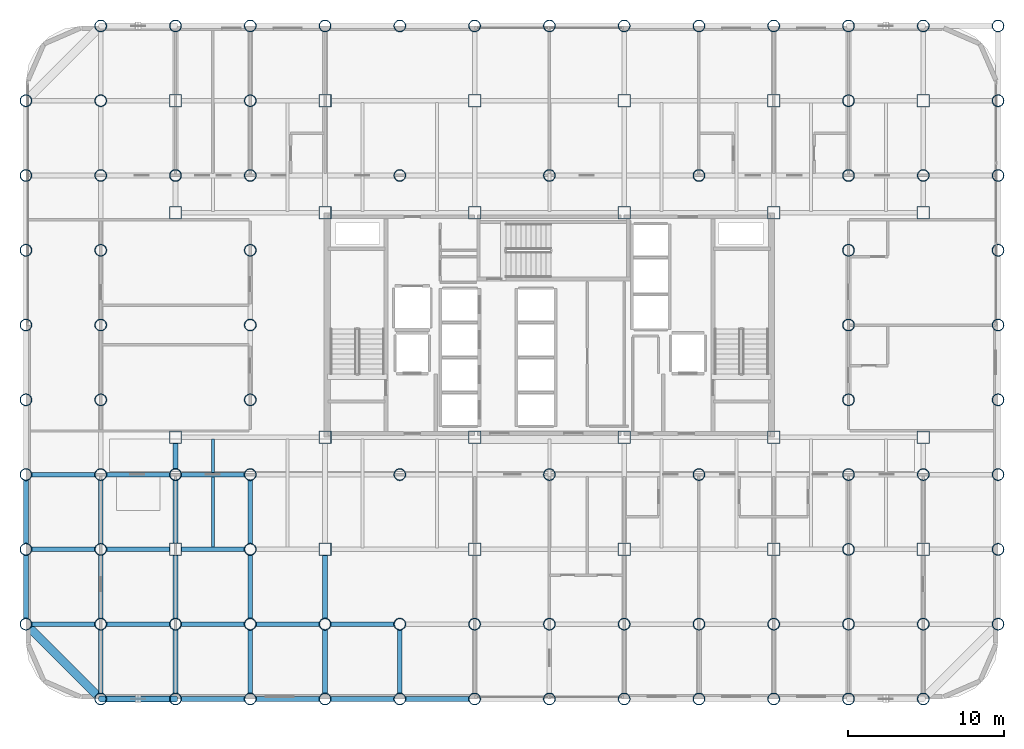
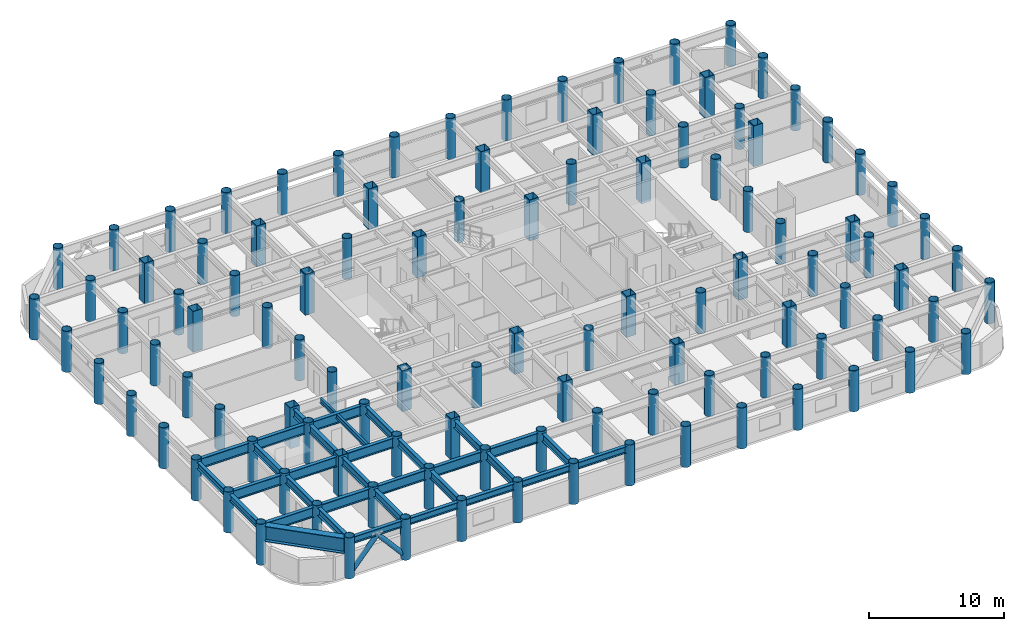
# One storey, part 1 of 22: 108 columns, 33 beams, 2 members.
"""IFC4 building model written with IfcOpenShell, lengths in metres."""

from ifc_helpers import new_model, si_unit, direction, frame, origin, origin_2d, place, context, subcontext, project, spatial, hollow_rectangle, hollow_circle, i_section, extrude, material, material_profile, profile_set, type_object, element, save


model = new_model("IFC4")

# Units and contexts
model_context = context("Model", 3, precision=1e-05, world=origin(), true_north=direction((0.0, 1.0)))
body_context = subcontext(model_context, "Body", "Model", "MODEL_VIEW")
ifc_project = project(units=[si_unit("LENGTHUNIT", "METRE"), si_unit("AREAUNIT", "SQUARE_METRE"), si_unit("VOLUMEUNIT", "CUBIC_METRE"), si_unit("PLANEANGLEUNIT", "RADIAN"), si_unit("MASSUNIT", "GRAM", prefix="KILO")], contexts=[model_context])

# Site, building, storey
site_placement = place(None, origin())
site = spatial("IfcSite", under=ifc_project, at=site_placement, CompositionType="ELEMENT")
building_placement = place(site_placement, origin())
building = spatial("IfcBuilding", under=site, at=building_placement, Name="Kallvorn Hotel Tower", CompositionType="ELEMENT")
storey_placement = place(building_placement, frame((0.0, 0.0, 48.5)))
storey = spatial("IfcBuildingStorey", under=building, at=storey_placement, Name="L10", CompositionType="ELEMENT", Elevation=48.5)

# Columns
ifc_material_1 = material(Name="Structural steel S355J2H", Category="steel")
ifc_material_profile_1 = material_profile(ifc_material_1, hollow_circle(Radius=0.381103515625, WallThickness=0.031982421875, at=origin_2d()), Name="CHS 762x32")
ifc_profile_set_1 = profile_set([ifc_material_profile_1], Name="Structural steel S355J2H")
column_type_1 = type_object("IfcColumnType", Name="COL_CHS_762", PredefinedType="COLUMN", material=ifc_profile_set_1)
for number, where, z_axis, x_axis, name in (
    (1, (-33.60009765625, -19.199951171875, 0.0), (0.0, 0.0, 1.0), (1.0, 0.0, 0.0), "L10 Exoskeleton Column EC01"),
    (2, (-33.60009765625, -14.39990234375, 0.0), (0.0, 0.0, 1.0), (1.0, 0.0, 0.0), "L10 Exoskeleton Column EC02"),
    (3, (-33.60009765625, -9.60009765625, 0.0), (0.0, 0.0, 1.0), (1.0, 0.0, 0.0), "L10 Exoskeleton Column EC03"),
    (4, (-33.60009765625, -4.800048828125, 0.0), (0.0, 0.0, 1.0), (1.0, 0.0, 0.0), "L10 Exoskeleton Column EC04"),
    (5, (-33.60009765625, 0.0, 0.0), (0.0, 0.0, 1.0), (1.0, 0.0, 0.0), "L10 Exoskeleton Column EC05"),
    (6, (-33.60009765625, 4.800048828125, 0.0), (0.0, 0.0, 1.0), (1.0, 0.0, 0.0), "L10 Exoskeleton Column EC06"),
    (7, (-33.60009765625, 9.60009765625, 0.0), (0.0, 0.0, 1.0), (1.0, 0.0, 0.0), "L10 Exoskeleton Column EC07"),
    (8, (-33.60009765625, 14.39990234375, 0.0), (0.0, 0.0, 1.0), (1.0, 0.0, 0.0), "L10 Exoskeleton Column EC08"),
    (9, (-28.800048828125, -24.0, 0.0), (0.0, 0.0, 1.0), (1.0, 0.0, 0.0), "L10 Exoskeleton Column EC09"),
    (10, (-28.800048828125, -19.199951171875, 0.0), (0.0, 0.0, 1.0), (1.0, 0.0, 0.0), "L10 Exoskeleton Column EC10"),
    (11, (-28.800048828125, -14.39990234375, 0.0), (0.0, 0.0, 1.0), (1.0, 0.0, 0.0), "L10 Exoskeleton Column EC11"),
    (12, (-28.800048828125, -9.60009765625, 0.0), (0.0, 0.0, 1.0), (1.0, 0.0, 0.0), "L10 Exoskeleton Column EC12"),
    (13, (-28.800048828125, -4.800048828125, 0.0), (0.0, 0.0, 1.0), (1.0, 0.0, 0.0), "L10 Exoskeleton Column EC13"),
    (14, (-28.800048828125, 0.0, 0.0), (0.0, 0.0, 1.0), (1.0, 0.0, 0.0), "L10 Exoskeleton Column EC14"),
    (15, (-28.800048828125, 4.800048828125, 0.0), (0.0, 0.0, 1.0), (1.0, 0.0, 0.0), "L10 Exoskeleton Column EC15"),
    (16, (-28.800048828125, 9.60009765625, 0.0), (0.0, 0.0, 1.0), (1.0, 0.0, 0.0), "L10 Exoskeleton Column EC16"),
    (17, (-28.800048828125, 14.39990234375, 0.0), (0.0, 0.0, 1.0), (1.0, 0.0, 0.0), "L10 Exoskeleton Column EC17"),
    (18, (-28.800048828125, 19.199951171875, 0.0), (0.0, 0.0, 1.0), (1.0, 0.0, 0.0), "L10 Exoskeleton Column EC18"),
    (19, (-24.0, -24.0, 0.0), (0.0, 0.0, 1.0), (1.0, 0.0, 0.0), "L10 Exoskeleton Column EC19"),
    (20, (-24.0, -19.199951171875, 0.0), (0.0, 0.0, 1.0), (1.0, 0.0, 0.0), "L10 Exoskeleton Column EC20"),
    (21, (-24.0, -9.60009765625, 0.0), (0.0, 0.0, 1.0), (1.0, 0.0, 0.0), "L10 Exoskeleton Column EC21"),
    (22, (-24.0, 9.60009765625, 0.0), (0.0, 0.0, 1.0), (1.0, 0.0, 0.0), "L10 Exoskeleton Column EC22"),
    (23, (-24.0, 19.199951171875, 0.0), (0.0, 0.0, 1.0), (1.0, 0.0, 0.0), "L10 Exoskeleton Column EC23"),
    (24, (-19.199951171875, -24.0, 0.0), (0.0, 0.0, 1.0), (1.0, 0.0, 0.0), "L10 Exoskeleton Column EC24"),
    (25, (-19.199951171875, -19.199951171875, 0.0), (0.0, 0.0, 1.0), (1.0, 0.0, 0.0), "L10 Exoskeleton Column EC25"),
    (26, (-19.199951171875, -14.39990234375, 0.0), (0.0, 0.0, 1.0), (1.0, 0.0, 0.0), "L10 Exoskeleton Column EC26"),
    (27, (-19.199951171875, -9.60009765625, 0.0), (0.0, 0.0, 1.0), (1.0, 0.0, 0.0), "L10 Exoskeleton Column EC27"),
    (28, (-19.199951171875, -4.800048828125, 0.0), (0.0, 0.0, 1.0), (1.0, 0.0, 0.0), "L10 Exoskeleton Column EC28"),
    (29, (-19.199951171875, 0.0, 0.0), (0.0, 0.0, 1.0), (1.0, 0.0, 0.0), "L10 Exoskeleton Column EC29"),
    (30, (-19.199951171875, 4.800048828125, 0.0), (0.0, 0.0, 1.0), (1.0, 0.0, 0.0), "L10 Exoskeleton Column EC30"),
    (31, (-19.199951171875, 9.60009765625, 0.0), (0.0, 0.0, 1.0), (1.0, 0.0, 0.0), "L10 Exoskeleton Column EC31"),
    (32, (-19.199951171875, 14.39990234375, 0.0), (0.0, 0.0, 1.0), (1.0, 0.0, 0.0), "L10 Exoskeleton Column EC32"),
    (33, (-19.199951171875, 19.199951171875, 0.0), (0.0, 0.0, 1.0), (1.0, 0.0, 0.0), "L10 Exoskeleton Column EC33"),
    (34, (-14.39990234375, -24.0, 0.0), (0.0, 0.0, 1.0), (1.0, 0.0, 0.0), "L10 Exoskeleton Column EC34"),
    (35, (-14.39990234375, -19.199951171875, 0.0), (0.0, 0.0, 1.0), (1.0, 0.0, 0.0), "L10 Exoskeleton Column EC35"),
    (36, (-14.39990234375, 19.199951171875, 0.0), (0.0, 0.0, 1.0), (1.0, 0.0, 0.0), "L10 Exoskeleton Column EC36"),
    (37, (-9.60009765625, -24.0, 0.0), (0.0, 0.0, 1.0), (1.0, 0.0, 0.0), "L10 Exoskeleton Column EC37"),
    (38, (-9.60009765625, -19.199951171875, 0.0), (0.0, 0.0, 1.0), (1.0, 0.0, 0.0), "L10 Exoskeleton Column EC38"),
    (39, (-9.60009765625, -9.60009765625, 0.0), (0.0, 0.0, 1.0), (1.0, 0.0, 0.0), "L10 Exoskeleton Column EC39"),
    (40, (-9.60009765625, 9.60009765625, 0.0), (0.0, 0.0, 1.0), (1.0, 0.0, 0.0), "L10 Exoskeleton Column EC40"),
    (41, (-9.60009765625, 19.199951171875, 0.0), (0.0, 0.0, 1.0), (1.0, 0.0, 0.0), "L10 Exoskeleton Column EC41"),
    (42, (-4.800048828125, -24.0, 0.0), (0.0, 0.0, 1.0), (1.0, 0.0, 0.0), "L10 Exoskeleton Column EC42"),
    (43, (-4.800048828125, -19.199951171875, 0.0), (0.0, 0.0, 1.0), (1.0, 0.0, 0.0), "L10 Exoskeleton Column EC43"),
    (44, (-4.800048828125, 19.199951171875, 0.0), (0.0, 0.0, 1.0), (1.0, 0.0, 0.0), "L10 Exoskeleton Column EC44"),
    (45, (0.0, -24.0, 0.0), (0.0, 0.0, 1.0), (1.0, 0.0, 0.0), "L10 Exoskeleton Column EC45"),
    (46, (0.0, -19.199951171875, 0.0), (0.0, 0.0, 1.0), (1.0, 0.0, 0.0), "L10 Exoskeleton Column EC46"),
    (47, (0.0, -9.60009765625, 0.0), (0.0, 0.0, 1.0), (1.0, 0.0, 0.0), "L10 Exoskeleton Column EC47"),
    (48, (0.0, 9.60009765625, 0.0), (0.0, 0.0, 1.0), (1.0, 0.0, 0.0), "L10 Exoskeleton Column EC48"),
    (49, (0.0, 19.199951171875, 0.0), (0.0, 0.0, 1.0), (1.0, 0.0, 0.0), "L10 Exoskeleton Column EC49"),
    (50, (4.800048828125, -24.0, 0.0), (0.0, 0.0, 1.0), (1.0, 0.0, 0.0), "L10 Exoskeleton Column EC50"),
    (51, (4.800048828125, -19.199951171875, 0.0), (0.0, 0.0, 1.0), (1.0, 0.0, 0.0), "L10 Exoskeleton Column EC51"),
    (52, (4.800048828125, 19.199951171875, 0.0), (0.0, 0.0, 1.0), (1.0, 0.0, 0.0), "L10 Exoskeleton Column EC52"),
    (53, (9.60009765625, -24.0, 0.0), (0.0, 0.0, 1.0), (1.0, 0.0, 0.0), "L10 Exoskeleton Column EC53"),
    (54, (9.60009765625, -19.199951171875, 0.0), (0.0, 0.0, 1.0), (1.0, 0.0, 0.0), "L10 Exoskeleton Column EC54"),
    (55, (9.60009765625, -9.60009765625, 0.0), (0.0, 0.0, 1.0), (1.0, 0.0, 0.0), "L10 Exoskeleton Column EC55"),
    (56, (9.60009765625, 9.60009765625, 0.0), (0.0, 0.0, 1.0), (1.0, 0.0, 0.0), "L10 Exoskeleton Column EC56"),
    (57, (9.60009765625, 19.199951171875, 0.0), (0.0, 0.0, 1.0), (1.0, 0.0, 0.0), "L10 Exoskeleton Column EC57"),
    (58, (14.39990234375, -24.0, 0.0), (0.0, 0.0, 1.0), (1.0, 0.0, 0.0), "L10 Exoskeleton Column EC58"),
    (59, (14.39990234375, -19.199951171875, 0.0), (0.0, 0.0, 1.0), (1.0, 0.0, 0.0), "L10 Exoskeleton Column EC59"),
    (60, (14.39990234375, 19.199951171875, 0.0), (0.0, 0.0, 1.0), (1.0, 0.0, 0.0), "L10 Exoskeleton Column EC60"),
    (61, (19.199951171875, -24.0, 0.0), (0.0, 0.0, 1.0), (1.0, 0.0, 0.0), "L10 Exoskeleton Column EC61"),
    (62, (19.199951171875, -19.199951171875, 0.0), (0.0, 0.0, 1.0), (1.0, 0.0, 0.0), "L10 Exoskeleton Column EC62"),
    (63, (19.199951171875, -14.39990234375, 0.0), (0.0, 0.0, 1.0), (1.0, 0.0, 0.0), "L10 Exoskeleton Column EC63"),
    (64, (19.199951171875, -9.60009765625, 0.0), (0.0, 0.0, 1.0), (1.0, 0.0, 0.0), "L10 Exoskeleton Column EC64"),
    (65, (19.199951171875, -4.800048828125, 0.0), (0.0, 0.0, 1.0), (1.0, 0.0, 0.0), "L10 Exoskeleton Column EC65"),
    (66, (19.199951171875, 0.0, 0.0), (0.0, 0.0, 1.0), (1.0, 0.0, 0.0), "L10 Exoskeleton Column EC66"),
    (67, (19.199951171875, 4.800048828125, 0.0), (0.0, 0.0, 1.0), (1.0, 0.0, 0.0), "L10 Exoskeleton Column EC67"),
    (68, (19.199951171875, 9.60009765625, 0.0), (0.0, 0.0, 1.0), (1.0, 0.0, 0.0), "L10 Exoskeleton Column EC68"),
    (69, (19.199951171875, 14.39990234375, 0.0), (0.0, 0.0, 1.0), (1.0, 0.0, 0.0), "L10 Exoskeleton Column EC69"),
    (70, (19.199951171875, 19.199951171875, 0.0), (0.0, 0.0, 1.0), (1.0, 0.0, 0.0), "L10 Exoskeleton Column EC70"),
    (71, (24.0, -24.0, 0.0), (0.0, 0.0, 1.0), (1.0, 0.0, 0.0), "L10 Exoskeleton Column EC71"),
    (72, (24.0, -19.199951171875, 0.0), (0.0, 0.0, 1.0), (1.0, 0.0, 0.0), "L10 Exoskeleton Column EC72"),
    (73, (24.0, -9.60009765625, 0.0), (0.0, 0.0, 1.0), (1.0, 0.0, 0.0), "L10 Exoskeleton Column EC73"),
    (74, (24.0, 9.60009765625, 0.0), (0.0, 0.0, 1.0), (1.0, 0.0, 0.0), "L10 Exoskeleton Column EC74"),
    (75, (24.0, 19.199951171875, 0.0), (0.0, 0.0, 1.0), (1.0, 0.0, 0.0), "L10 Exoskeleton Column EC75"),
    (76, (28.800048828125, -19.199951171875, 0.0), (0.0, 0.0, 1.0), (1.0, 0.0, 0.0), "L10 Exoskeleton Column EC76"),
    (77, (28.800048828125, -14.39990234375, 0.0), (0.0, 0.0, 1.0), (1.0, 0.0, 0.0), "L10 Exoskeleton Column EC77"),
    (78, (28.800048828125, -9.60009765625, 0.0), (0.0, 0.0, 1.0), (1.0, 0.0, 0.0), "L10 Exoskeleton Column EC78"),
    (79, (28.800048828125, -4.800048828125, 0.0), (0.0, 0.0, 1.0), (1.0, 0.0, 0.0), "L10 Exoskeleton Column EC79"),
    (80, (28.800048828125, 0.0, 0.0), (0.0, 0.0, 1.0), (1.0, 0.0, 0.0), "L10 Exoskeleton Column EC80"),
    (81, (28.800048828125, 4.800048828125, 0.0), (0.0, 0.0, 1.0), (1.0, 0.0, 0.0), "L10 Exoskeleton Column EC81"),
    (82, (28.800048828125, 9.60009765625, 0.0), (0.0, 0.0, 1.0), (1.0, 0.0, 0.0), "L10 Exoskeleton Column EC82"),
    (83, (28.800048828125, 14.39990234375, 0.0), (0.0, 0.0, 1.0), (1.0, 0.0, 0.0), "L10 Exoskeleton Column EC83"),
    (84, (28.800048828125, 19.199951171875, 0.0), (0.0, 0.0, 1.0), (1.0, 0.0, 0.0), "L10 Exoskeleton Column EC84"),
):
    element("IfcColumn", number, at=place(storey_placement, frame(where, z_axis=z_axis, x_axis=x_axis)), inside=storey, type_object=column_type_1, Name=name, PredefinedType="COLUMN", context=body_context, shape_type="SweptSolid", body=[
        extrude(hollow_circle(Radius=0.381103515625, WallThickness=0.031982421875, at=origin_2d()), origin(), (0.0, 0.0, 1.0), 3.699951171875),
    ])
ifc_material_2 = material(Name="Structural steel S355J2H", Category="steel")
ifc_material_profile_2 = material_profile(ifc_material_2, hollow_rectangle(XDim=0.800048828125, YDim=0.800048828125, WallThickness=0.035888671875, at=origin_2d()), Name="RHS 800x800x36")
ifc_profile_set_2 = profile_set([ifc_material_profile_2], Name="Structural steel S355J2H")
column_type_2 = type_object("IfcColumnType", Name="COL_RHS_800", PredefinedType="COLUMN", material=ifc_profile_set_2)
for number, where, z_axis, x_axis, name in (
    (85, (-24.0, -14.39990234375, 0.0), (0.0, 0.0, 1.0), (1.0, 0.0, 0.0), "L10 Inner Column IC01"),
    (86, (-24.0, -7.199951171875, 0.0), (0.0, 0.0, 1.0), (1.0, 0.0, 0.0), "L10 Inner Column IC02"),
    (87, (-24.0, 7.199951171875, 0.0), (0.0, 0.0, 1.0), (1.0, 0.0, 0.0), "L10 Inner Column IC03"),
    (88, (-24.0, 14.39990234375, 0.0), (0.0, 0.0, 1.0), (1.0, 0.0, 0.0), "L10 Inner Column IC04"),
    (89, (-14.39990234375, -14.39990234375, 0.0), (0.0, 0.0, 1.0), (1.0, 0.0, 0.0), "L10 Inner Column IC05"),
    (90, (-14.39990234375, -7.199951171875, 0.0), (0.0, 0.0, 1.0), (1.0, 0.0, 0.0), "L10 Inner Column IC06"),
    (91, (-14.39990234375, 7.199951171875, 0.0), (0.0, 0.0, 1.0), (1.0, 0.0, 0.0), "L10 Inner Column IC07"),
    (92, (-14.39990234375, 14.39990234375, 0.0), (0.0, 0.0, 1.0), (1.0, 0.0, 0.0), "L10 Inner Column IC08"),
    (93, (-4.800048828125, -14.39990234375, 0.0), (0.0, 0.0, 1.0), (1.0, 0.0, 0.0), "L10 Inner Column IC09"),
    (94, (-4.800048828125, -7.199951171875, 0.0), (0.0, 0.0, 1.0), (1.0, 0.0, 0.0), "L10 Inner Column IC10"),
    (95, (-4.800048828125, 7.199951171875, 0.0), (0.0, 0.0, 1.0), (1.0, 0.0, 0.0), "L10 Inner Column IC11"),
    (96, (-4.800048828125, 14.39990234375, 0.0), (0.0, 0.0, 1.0), (1.0, 0.0, 0.0), "L10 Inner Column IC12"),
    (97, (4.800048828125, -14.39990234375, 0.0), (0.0, 0.0, 1.0), (1.0, 0.0, 0.0), "L10 Inner Column IC13"),
    (98, (4.800048828125, -7.199951171875, 0.0), (0.0, 0.0, 1.0), (1.0, 0.0, 0.0), "L10 Inner Column IC14"),
    (99, (4.800048828125, 7.199951171875, 0.0), (0.0, 0.0, 1.0), (1.0, 0.0, 0.0), "L10 Inner Column IC15"),
    (100, (4.800048828125, 14.39990234375, 0.0), (0.0, 0.0, 1.0), (1.0, 0.0, 0.0), "L10 Inner Column IC16"),
    (101, (14.39990234375, -14.39990234375, 0.0), (0.0, 0.0, 1.0), (1.0, 0.0, 0.0), "L10 Inner Column IC17"),
    (102, (14.39990234375, -7.199951171875, 0.0), (0.0, 0.0, 1.0), (1.0, 0.0, 0.0), "L10 Inner Column IC18"),
    (103, (14.39990234375, 7.199951171875, 0.0), (0.0, 0.0, 1.0), (1.0, 0.0, 0.0), "L10 Inner Column IC19"),
    (104, (14.39990234375, 14.39990234375, 0.0), (0.0, 0.0, 1.0), (1.0, 0.0, 0.0), "L10 Inner Column IC20"),
    (105, (24.0, -14.39990234375, 0.0), (0.0, 0.0, 1.0), (1.0, 0.0, 0.0), "L10 Inner Column IC21"),
    (106, (24.0, -7.199951171875, 0.0), (0.0, 0.0, 1.0), (1.0, 0.0, 0.0), "L10 Inner Column IC22"),
    (107, (24.0, 7.199951171875, 0.0), (0.0, 0.0, 1.0), (1.0, 0.0, 0.0), "L10 Inner Column IC23"),
    (108, (24.0, 14.39990234375, 0.0), (0.0, 0.0, 1.0), (1.0, 0.0, 0.0), "L10 Inner Column IC24"),
):
    element("IfcColumn", number, at=place(storey_placement, frame(where, z_axis=z_axis, x_axis=x_axis)), inside=storey, type_object=column_type_2, Name=name, PredefinedType="COLUMN", context=body_context, shape_type="SweptSolid", body=[
        extrude(hollow_rectangle(XDim=0.800048828125, YDim=0.800048828125, WallThickness=0.035888671875, at=origin_2d()), origin(), (0.0, 0.0, 1.0), 3.699951171875),
    ])

# Beams
ifc_material_3 = material(Name="Structural steel S355JR", Category="steel")
ifc_material_profile_3 = material_profile(ifc_material_3, i_section(OverallWidth=0.300048828125, OverallDepth=0.60009765625, WebThickness=0.015380859375, FlangeThickness=0.030029296875, at=origin_2d()), Name="HE 600 B")
ifc_profile_set_3 = profile_set([ifc_material_profile_3], Name="Structural steel S355JR")
beam_type_1 = type_object("IfcBeamType", Name="BM_HE600B", PredefinedType="SPANDREL", material=ifc_profile_set_3)
for number, where, z_axis, x_axis, name in (
    (109, (-28.428955078125, -24.0, 3.219970703125), (1.0, 0.0, 0.0), (0.0, 1.0, 0.0), "L11 Perimeter Spandrel 151"),
    (110, (-23.62890625, -24.0, 3.219970703125), (1.0, 0.0, 0.0), (0.0, 1.0, 0.0), "L11 Perimeter Spandrel 152"),
):
    element("IfcBeam", number, at=place(storey_placement, frame(where, z_axis=z_axis, x_axis=x_axis)), inside=storey, type_object=beam_type_1, Name=name, PredefinedType="SPANDREL", context=body_context, shape_type="SweptSolid", body=[
        extrude(i_section(OverallWidth=0.300048828125, OverallDepth=0.60009765625, WebThickness=0.015380859375, FlangeThickness=0.030029296875, at=origin_2d()), origin(), (0.0, 0.0, 1.0), 4.057861328125),
    ])
for number, where, z_axis, x_axis, name in (
    (111, (-18.8291015625, -24.0, 3.219970703125), (1.0, 0.0, 0.0), (0.0, 1.0, 0.0), "L11 Perimeter Spandrel 153"),
    (112, (-14.029052734375, -24.0, 3.219970703125), (1.0, 0.0, 0.0), (0.0, 1.0, 0.0), "L11 Perimeter Spandrel 154"),
    (113, (-9.22900390625, -24.0, 3.219970703125), (1.0, 0.0, 0.0), (0.0, 1.0, 0.0), "L11 Perimeter Spandrel 155"),
    (114, (-33.60009765625, -18.8291015625, 3.219970703125), (0.0, 1.0, 0.0), (-1.0, 0.0, 0.0), "L11 Perimeter Spandrel 174"),
    (115, (-33.60009765625, -14.029052734375, 3.219970703125), (0.0, 1.0, 0.0), (-1.0, 0.0, 0.0), "L11 Perimeter Spandrel 175"),
):
    element("IfcBeam", number, at=place(storey_placement, frame(where, z_axis=z_axis, x_axis=x_axis)), inside=storey, type_object=beam_type_1, Name=name, PredefinedType="SPANDREL", context=body_context, shape_type="SweptSolid", body=[
        extrude(i_section(OverallWidth=0.300048828125, OverallDepth=0.60009765625, WebThickness=0.015380859375, FlangeThickness=0.030029296875, at=origin_2d()), origin(), (0.0, 0.0, 1.0), 4.05810546875),
    ])
ifc_material_4 = material(Name="Structural steel S355JR", Category="steel")
ifc_material_profile_4 = material_profile(ifc_material_4, i_section(OverallWidth=0.300048828125, OverallDepth=0.699951171875, WebThickness=0.01708984375, FlangeThickness=0.031982421875, at=origin_2d()), Name="HE 700 B")
ifc_profile_set_4 = profile_set([ifc_material_profile_4], Name="Structural steel S355JR")
beam_type_2 = type_object("IfcBeamType", Name="BM_HE700B", PredefinedType="BEAM", material=ifc_profile_set_4)
beam_1_placement = place(storey_placement, frame((-28.800048828125, -23.64404296875, 3.169921875), z_axis=(0.0, 1.0, 0.0), x_axis=(-1.0, 0.0, 0.0)))
element("IfcBeam", 116, at=beam_1_placement, inside=storey, type_object=beam_type_2, Name="L11 Primary Y-Girder 73", PredefinedType="BEAM", context=body_context, shape_type="SweptSolid", body=[
    extrude(i_section(OverallWidth=0.300048828125, OverallDepth=0.699951171875, WebThickness=0.01708984375, FlangeThickness=0.031982421875, at=origin_2d()), origin(), (0.0, 0.0, 1.0), 4.088134765625),
])
for number, where, z_axis, x_axis, name in (
    (117, (-28.800048828125, -18.843994140625, 3.169921875), (0.0, 1.0, 0.0), (-1.0, 0.0, 0.0), "L11 Primary Y-Girder 74"),
    (118, (-28.800048828125, -14.0439453125, 3.169921875), (0.0, 1.0, 0.0), (-1.0, 0.0, 0.0), "L11 Primary Y-Girder 75"),
):
    element("IfcBeam", number, at=place(storey_placement, frame(where, z_axis=z_axis, x_axis=x_axis)), inside=storey, type_object=beam_type_2, Name=name, PredefinedType="BEAM", context=body_context, shape_type="SweptSolid", body=[
        extrude(i_section(OverallWidth=0.300048828125, OverallDepth=0.699951171875, WebThickness=0.01708984375, FlangeThickness=0.031982421875, at=origin_2d()), origin(), (0.0, 0.0, 1.0), 4.087890625),
    ])
beam_2_placement = place(storey_placement, frame((-24.0, -23.64404296875, 3.169921875), z_axis=(0.0, 1.0, 0.0), x_axis=(-1.0, 0.0, 0.0)))
element("IfcBeam", 119, at=beam_2_placement, inside=storey, type_object=beam_type_2, Name="L11 Primary Y-Girder 82", PredefinedType="BEAM", context=body_context, shape_type="SweptSolid", body=[
    extrude(i_section(OverallWidth=0.300048828125, OverallDepth=0.699951171875, WebThickness=0.01708984375, FlangeThickness=0.031982421875, at=origin_2d()), origin(), (0.0, 0.0, 1.0), 4.088134765625),
])
beam_3_placement = place(storey_placement, frame((-24.0, -18.843994140625, 3.169921875), z_axis=(0.0, 1.0, 0.0), x_axis=(-1.0, 0.0, 0.0)))
element("IfcBeam", 120, at=beam_3_placement, inside=storey, type_object=beam_type_2, Name="L11 Primary Y-Girder 83", PredefinedType="BEAM", context=body_context, shape_type="SweptSolid", body=[
    extrude(i_section(OverallWidth=0.300048828125, OverallDepth=0.699951171875, WebThickness=0.01708984375, FlangeThickness=0.031982421875, at=origin_2d()), origin(), (0.0, 0.0, 1.0), 4.069091796875),
])
beam_4_placement = place(storey_placement, frame((-24.0, -14.02490234375, 3.169921875), z_axis=(0.0, 1.0, 0.0), x_axis=(-1.0, 0.0, 0.0)))
element("IfcBeam", 121, at=beam_4_placement, inside=storey, type_object=beam_type_2, Name="L11 Primary Y-Girder 84", PredefinedType="BEAM", context=body_context, shape_type="SweptSolid", body=[
    extrude(i_section(OverallWidth=0.300048828125, OverallDepth=0.699951171875, WebThickness=0.01708984375, FlangeThickness=0.031982421875, at=origin_2d()), origin(), (0.0, 0.0, 1.0), 4.06884765625),
])
beam_5_placement = place(storey_placement, frame((-24.0, -9.243896484375, 3.169921875), z_axis=(0.0, 1.0, 0.0), x_axis=(-1.0, 0.0, 0.0)))
element("IfcBeam", 122, at=beam_5_placement, inside=storey, type_object=beam_type_2, Name="L11 Primary Y-Girder 85", PredefinedType="BEAM", context=body_context, shape_type="SweptSolid", body=[
    extrude(i_section(OverallWidth=0.300048828125, OverallDepth=0.699951171875, WebThickness=0.01708984375, FlangeThickness=0.031982421875, at=origin_2d()), origin(), (0.0, 0.0, 1.0), 1.6689453125),
])
beam_6_placement = place(storey_placement, frame((-19.199951171875, -23.64404296875, 3.169921875), z_axis=(0.0, 1.0, 0.0), x_axis=(-1.0, 0.0, 0.0)))
element("IfcBeam", 123, at=beam_6_placement, inside=storey, type_object=beam_type_2, Name="L11 Primary Y-Girder 89", PredefinedType="BEAM", context=body_context, shape_type="SweptSolid", body=[
    extrude(i_section(OverallWidth=0.300048828125, OverallDepth=0.699951171875, WebThickness=0.01708984375, FlangeThickness=0.031982421875, at=origin_2d()), origin(), (0.0, 0.0, 1.0), 4.088134765625),
])
for number, where, z_axis, x_axis, name in (
    (124, (-19.199951171875, -18.843994140625, 3.169921875), (0.0, 1.0, 0.0), (-1.0, 0.0, 0.0), "L11 Primary Y-Girder 90"),
    (125, (-19.199951171875, -14.0439453125, 3.169921875), (0.0, 1.0, 0.0), (-1.0, 0.0, 0.0), "L11 Primary Y-Girder 91"),
):
    element("IfcBeam", number, at=place(storey_placement, frame(where, z_axis=z_axis, x_axis=x_axis)), inside=storey, type_object=beam_type_2, Name=name, PredefinedType="BEAM", context=body_context, shape_type="SweptSolid", body=[
        extrude(i_section(OverallWidth=0.300048828125, OverallDepth=0.699951171875, WebThickness=0.01708984375, FlangeThickness=0.031982421875, at=origin_2d()), origin(), (0.0, 0.0, 1.0), 4.087890625),
    ])
beam_7_placement = place(storey_placement, frame((-14.39990234375, -23.64404296875, 3.169921875), z_axis=(0.0, 1.0, 0.0), x_axis=(-1.0, 0.0, 0.0)))
element("IfcBeam", 126, at=beam_7_placement, inside=storey, type_object=beam_type_2, Name="L11 Primary Y-Girder 98", PredefinedType="BEAM", context=body_context, shape_type="SweptSolid", body=[
    extrude(i_section(OverallWidth=0.300048828125, OverallDepth=0.699951171875, WebThickness=0.01708984375, FlangeThickness=0.031982421875, at=origin_2d()), origin(), (0.0, 0.0, 1.0), 4.088134765625),
])
beam_8_placement = place(storey_placement, frame((-14.39990234375, -18.843994140625, 3.169921875), z_axis=(0.0, 1.0, 0.0), x_axis=(-1.0, 0.0, 0.0)))
element("IfcBeam", 127, at=beam_8_placement, inside=storey, type_object=beam_type_2, Name="L11 Primary Y-Girder 99", PredefinedType="BEAM", context=body_context, shape_type="SweptSolid", body=[
    extrude(i_section(OverallWidth=0.300048828125, OverallDepth=0.699951171875, WebThickness=0.01708984375, FlangeThickness=0.031982421875, at=origin_2d()), origin(), (0.0, 0.0, 1.0), 4.069091796875),
])
beam_9_placement = place(storey_placement, frame((-9.60009765625, -23.64404296875, 3.169921875), z_axis=(0.0, 1.0, 0.0), x_axis=(-1.0, 0.0, 0.0)))
element("IfcBeam", 128, at=beam_9_placement, inside=storey, type_object=beam_type_2, Name="L11 Primary Y-Girder 103", PredefinedType="BEAM", context=body_context, shape_type="SweptSolid", body=[
    extrude(i_section(OverallWidth=0.300048828125, OverallDepth=0.699951171875, WebThickness=0.01708984375, FlangeThickness=0.031982421875, at=origin_2d()), origin(), (0.0, 0.0, 1.0), 4.088134765625),
])
ifc_material_5 = material(Name="Structural steel S355JR", Category="steel")
ifc_material_profile_5 = material_profile(ifc_material_5, i_section(OverallWidth=0.300048828125, OverallDepth=0.89990234375, WebThickness=0.0185546875, FlangeThickness=0.034912109375, at=origin_2d()), Name="HE 900 B")
ifc_profile_set_5 = profile_set([ifc_material_profile_5], Name="Structural steel S355JR")
beam_type_3 = type_object("IfcBeamType", Name="BM_HE900B", PredefinedType="BEAM", material=ifc_profile_set_5)
beam_10_placement = place(storey_placement, frame((-33.243896484375, -19.199951171875, 3.070068359375), z_axis=(1.0, 0.0, 0.0), x_axis=(0.0, 1.0, 0.0)))
element("IfcBeam", 129, at=beam_10_placement, inside=storey, type_object=beam_type_3, Name="L11 Primary X-Girder 01", PredefinedType="BEAM", context=body_context, shape_type="SweptSolid", body=[
    extrude(i_section(OverallWidth=0.300048828125, OverallDepth=0.89990234375, WebThickness=0.0185546875, FlangeThickness=0.034912109375, at=origin_2d()), origin(), (0.0, 0.0, 1.0), 4.087890625),
])
for number, where, z_axis, x_axis, name in (
    (130, (-28.444091796875, -19.199951171875, 3.070068359375), (1.0, 0.0, 0.0), (0.0, 1.0, 0.0), "L11 Primary X-Girder 02"),
    (131, (-23.64404296875, -19.199951171875, 3.070068359375), (1.0, 0.0, 0.0), (0.0, 1.0, 0.0), "L11 Primary X-Girder 03"),
):
    element("IfcBeam", number, at=place(storey_placement, frame(where, z_axis=z_axis, x_axis=x_axis)), inside=storey, type_object=beam_type_3, Name=name, PredefinedType="BEAM", context=body_context, shape_type="SweptSolid", body=[
        extrude(i_section(OverallWidth=0.300048828125, OverallDepth=0.89990234375, WebThickness=0.0185546875, FlangeThickness=0.034912109375, at=origin_2d()), origin(), (0.0, 0.0, 1.0), 4.088134765625),
    ])
for number, where, z_axis, x_axis, name in (
    (132, (-18.843994140625, -19.199951171875, 3.070068359375), (1.0, 0.0, 0.0), (0.0, 1.0, 0.0), "L11 Primary X-Girder 04"),
    (133, (-14.0439453125, -19.199951171875, 3.070068359375), (1.0, 0.0, 0.0), (0.0, 1.0, 0.0), "L11 Primary X-Girder 05"),
    (134, (-33.243896484375, -14.39990234375, 3.070068359375), (1.0, 0.0, 0.0), (0.0, 1.0, 0.0), "L11 Primary X-Girder 14"),
):
    element("IfcBeam", number, at=place(storey_placement, frame(where, z_axis=z_axis, x_axis=x_axis)), inside=storey, type_object=beam_type_3, Name=name, PredefinedType="BEAM", context=body_context, shape_type="SweptSolid", body=[
        extrude(i_section(OverallWidth=0.300048828125, OverallDepth=0.89990234375, WebThickness=0.0185546875, FlangeThickness=0.034912109375, at=origin_2d()), origin(), (0.0, 0.0, 1.0), 4.087890625),
    ])
for number, where, z_axis, x_axis, name in (
    (135, (-28.444091796875, -14.39990234375, 3.070068359375), (1.0, 0.0, 0.0), (0.0, 1.0, 0.0), "L11 Primary X-Girder 15"),
    (136, (-23.625, -14.39990234375, 3.070068359375), (1.0, 0.0, 0.0), (0.0, 1.0, 0.0), "L11 Primary X-Girder 16"),
):
    element("IfcBeam", number, at=place(storey_placement, frame(where, z_axis=z_axis, x_axis=x_axis)), inside=storey, type_object=beam_type_3, Name=name, PredefinedType="BEAM", context=body_context, shape_type="SweptSolid", body=[
        extrude(i_section(OverallWidth=0.300048828125, OverallDepth=0.89990234375, WebThickness=0.0185546875, FlangeThickness=0.034912109375, at=origin_2d()), origin(), (0.0, 0.0, 1.0), 4.069091796875),
    ])
beam_11_placement = place(storey_placement, frame((-33.243896484375, -9.60009765625, 3.070068359375), z_axis=(1.0, 0.0, 0.0), x_axis=(0.0, 1.0, 0.0)))
element("IfcBeam", 137, at=beam_11_placement, inside=storey, type_object=beam_type_3, Name="L11 Primary X-Girder 24", PredefinedType="BEAM", context=body_context, shape_type="SweptSolid", body=[
    extrude(i_section(OverallWidth=0.300048828125, OverallDepth=0.89990234375, WebThickness=0.0185546875, FlangeThickness=0.034912109375, at=origin_2d()), origin(), (0.0, 0.0, 1.0), 4.087890625),
])
for number, where, z_axis, x_axis, name in (
    (138, (-28.444091796875, -9.60009765625, 3.070068359375), (1.0, 0.0, 0.0), (0.0, 1.0, 0.0), "L11 Primary X-Girder 25"),
    (139, (-23.64404296875, -9.60009765625, 3.070068359375), (1.0, 0.0, 0.0), (0.0, 1.0, 0.0), "L11 Primary X-Girder 26"),
):
    element("IfcBeam", number, at=place(storey_placement, frame(where, z_axis=z_axis, x_axis=x_axis)), inside=storey, type_object=beam_type_3, Name=name, PredefinedType="BEAM", context=body_context, shape_type="SweptSolid", body=[
        extrude(i_section(OverallWidth=0.300048828125, OverallDepth=0.89990234375, WebThickness=0.0185546875, FlangeThickness=0.034912109375, at=origin_2d()), origin(), (0.0, 0.0, 1.0), 4.088134765625),
    ])
ifc_material_6 = material(Name="Structural steel S355JR", Category="steel")
ifc_material_profile_6 = material_profile(ifc_material_6, i_section(OverallWidth=0.18994140625, OverallDepth=0.449951171875, WebThickness=0.009521484375, FlangeThickness=0.0146484375, at=origin_2d()), Name="IPE 450")
ifc_profile_set_6 = profile_set([ifc_material_profile_6], Name="Structural steel S355JR")
beam_type_4 = type_object("IfcBeamType", Name="BM_IPE450", PredefinedType="JOIST", material=ifc_profile_set_6)
beam_12_placement = place(storey_placement, frame((-21.60009765625, -14.300048828125, 3.294921875), z_axis=(0.0, 1.0, 0.0), x_axis=(-1.0, 0.0, 0.0)))
element("IfcBeam", 140, at=beam_12_placement, inside=storey, type_object=beam_type_4, Name="L11 Secondary Composite Joist 192", PredefinedType="JOIST", context=body_context, shape_type="SweptSolid", body=[
    extrude(i_section(OverallWidth=0.18994140625, OverallDepth=0.449951171875, WebThickness=0.009521484375, FlangeThickness=0.0146484375, at=origin_2d()), origin(), (0.0, 0.0, 1.0), 7.0),
])
ifc_material_7 = material(Name="Structural steel S355JR", Category="steel")
ifc_material_profile_7 = material_profile(ifc_material_7, i_section(OverallWidth=0.550048828125, OverallDepth=1.39990234375, WebThickness=0.02490234375, FlangeThickness=0.044921875, at=origin_2d()), Name="PG 1400x550x25x45")
ifc_profile_set_7 = profile_set([ifc_material_profile_7], Name="Structural steel S355JR")
beam_type_5 = type_object("IfcBeamType", Name="BM_PG_1400", PredefinedType="BEAM", material=ifc_profile_set_7)
beam_13_placement = place(storey_placement, frame((-33.337646484375, -19.46240234375, 2.820068359375), z_axis=(0.707106781187, -0.707106781187, 0.0), x_axis=(0.707106781187, 0.707106781187, 0.0)))
element("IfcBeam", 141, at=beam_13_placement, inside=storey, type_object=beam_type_5, Name="L11 Rounded Corner Tie Beam 189", PredefinedType="BEAM", context=body_context, shape_type="SweptSolid", body=[
    extrude(i_section(OverallWidth=0.550048828125, OverallDepth=1.39990234375, WebThickness=0.02490234375, FlangeThickness=0.044921875, at=origin_2d()), origin(), (0.0, 0.0, 1.0), 6.04638671875),
])

# Members
ifc_material_8 = material(Name="Structural steel S355J2H", Category="steel")
ifc_material_profile_8 = material_profile(ifc_material_8, hollow_circle(Radius=0.203125, WallThickness=0.01611328125, at=origin_2d()), Name="CHS 406.4x16")
ifc_profile_set_8 = profile_set([ifc_material_profile_8], Name="Structural steel S355J2H")
member_type = type_object("IfcMemberType", Name="MBR_EXO_CHS406", PredefinedType="BRACE", material=ifc_profile_set_8)
for number, where, z_axis, x_axis, name in (
    (142, (-28.786865234375, -24.0, 0.195068359375), (0.65346062529, 0.0, 0.756960508346), (0.0, 1.0, 0.0), "L10 Exoskeleton K-Brace S1A"),
    (143, (-24.01318359375, -24.0, 0.195068359375), (-0.65346062529, 0.0, 0.756960508346), (0.0, -1.0, 0.0), "L10 Exoskeleton K-Brace S1B"),
):
    element("IfcMember", number, at=place(storey_placement, frame(where, z_axis=z_axis, x_axis=x_axis)), inside=storey, type_object=member_type, Name=name, PredefinedType="BRACE", context=body_context, shape_type="SweptSolid", body=[
        extrude(hollow_circle(Radius=0.203125, WallThickness=0.01611328125, at=origin_2d()), origin(), (0.0, 0.0, 1.0), 3.632568359375),
    ])

save(model, "model.ifc")
